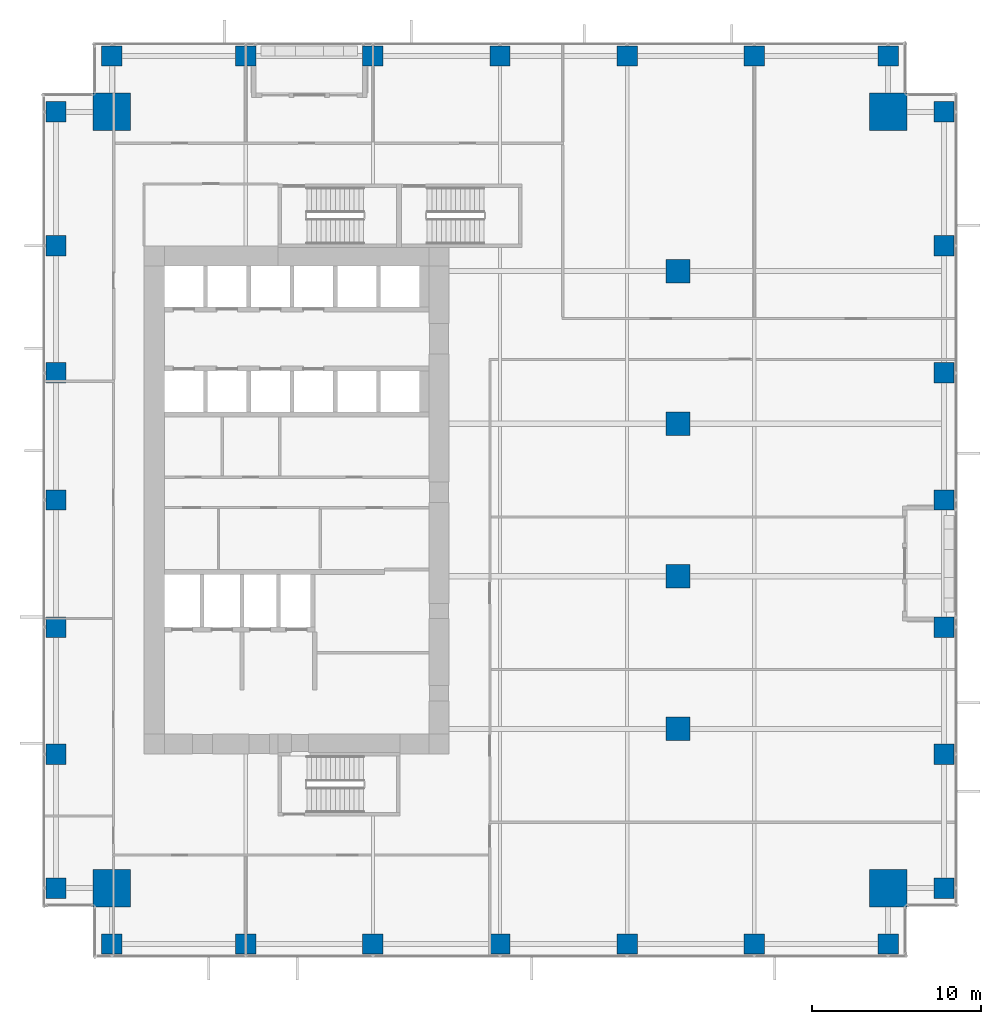
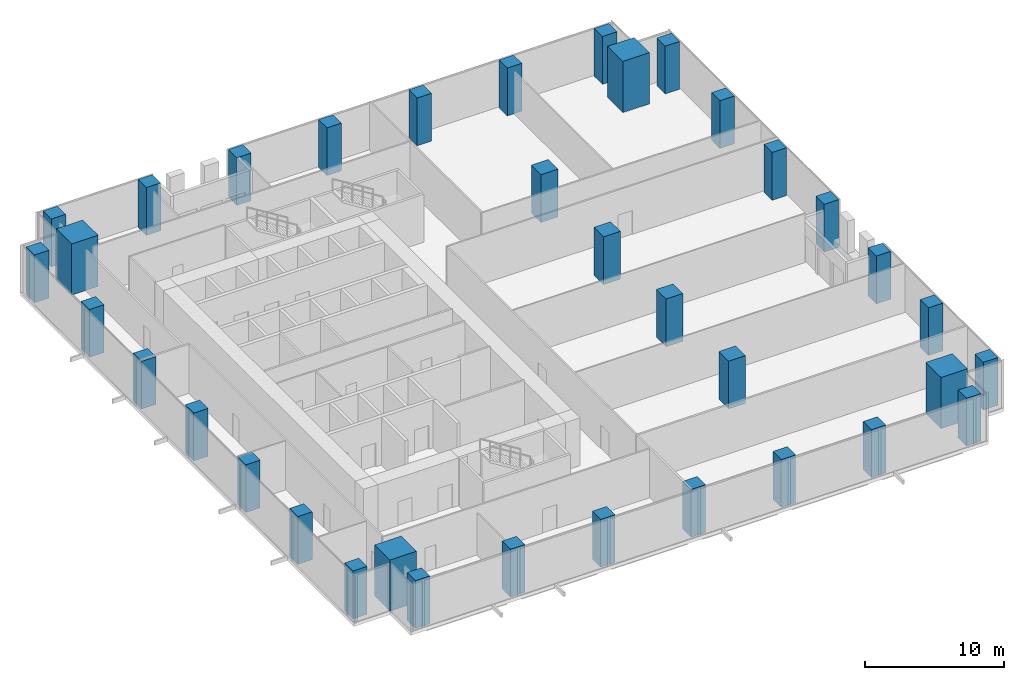
# One storey, part 1 of 32: 36 columns.
"""IFC4 building model written with IfcOpenShell, lengths in metres."""

from ifc_helpers import new_model, si_unit, direction, frame, origin, origin_2d, place, context, subcontext, project, spatial, rectangle, extrude, source, transform, mapped, material, material_profile, profile_set, type_object, element, save


model = new_model("IFC4")

# Units and contexts
model_context = context("Model", 3, precision=1e-05, world=origin(), true_north=direction((0.0, 1.0)))
body_context = subcontext(model_context, "Body", "Model", "MODEL_VIEW")
ifc_project = project(units=[si_unit("LENGTHUNIT", "METRE"), si_unit("AREAUNIT", "SQUARE_METRE"), si_unit("VOLUMEUNIT", "CUBIC_METRE"), si_unit("PLANEANGLEUNIT", "RADIAN"), si_unit("MASSUNIT", "GRAM", prefix="KILO")], contexts=[model_context])

# Site, building, storey
site_placement = place(None, origin())
site = spatial("IfcSite", under=ifc_project, at=site_placement, CompositionType="ELEMENT")
building_placement = place(site_placement, origin())
building = spatial("IfcBuilding", under=site, at=building_placement, Name="Khomas Fold Tower", CompositionType="ELEMENT")
storey_placement = place(building_placement, frame((0.0, 0.0, 42.0)))
storey = spatial("IfcBuildingStorey", under=building, at=storey_placement, Name="L08", CompositionType="ELEMENT", Elevation=42.0)

# Columns
ifc_material_1 = material(Name="Concrete C70/85", Category="concrete")
ifc_material_profile_1 = material_profile(ifc_material_1, rectangle(XDim=2.199951171875, YDim=2.199951171875, at=origin_2d()), Name="RC 2200x2200")
ifc_profile_set_1 = profile_set([ifc_material_profile_1], Name="Concrete C70/85")
column_type_1 = type_object("IfcColumnType", Name="RC 2200x2200 column", PredefinedType="COLUMN", material=ifc_profile_set_1)
shared_shape_1 = source(origin(), body_context, "Body", "SweptSolid", [
    extrude(rectangle(XDim=2.199951171875, YDim=2.199951171875, at=origin_2d()), origin(), (0.0, 0.0, 1.0), 4.5),
])
for number, where, z_axis, x_axis, name in (
    (1, (49.89990234375, 49.89990234375, 0.0), (0.0, 0.0, 1.0), (1.0, 0.0, 0.0), "CM-NE"),
    (2, (4.10009765625, 49.89990234375, 0.0), (0.0, 0.0, 1.0), (1.0, 0.0, 0.0), "CM-NW"),
    (3, (49.89990234375, 4.10009765625, 0.0), (0.0, 0.0, 1.0), (1.0, 0.0, 0.0), "CM-SE"),
    (4, (4.10009765625, 4.10009765625, 0.0), (0.0, 0.0, 1.0), (1.0, 0.0, 0.0), "CM-SW"),
):
    element("IfcColumn", number, at=place(storey_placement, frame(where, z_axis=z_axis, x_axis=x_axis)), inside=storey, type_object=column_type_1, Name=name, PredefinedType="COLUMN", context=body_context, shape_type="MappedRepresentation", body=[
        mapped(shared_shape_1, transform((0.0, 0.0, 0.0))),
    ])
ifc_material_2 = material(Name="Concrete C60/75", Category="concrete")
ifc_material_profile_2 = material_profile(ifc_material_2, rectangle(XDim=1.199951171875, YDim=1.199951171875, at=origin_2d()), Name="RC 1200x1200")
ifc_profile_set_2 = profile_set([ifc_material_profile_2], Name="Concrete C60/75")
column_type_2 = type_object("IfcColumnType", Name="RC 1200x1200 column", PredefinedType="COLUMN", material=ifc_profile_set_2)
shared_shape_2 = source(origin(), body_context, "Body", "SweptSolid", [
    extrude(rectangle(XDim=1.199951171875, YDim=1.199951171875, at=origin_2d()), origin(), (0.0, 0.0, 1.0), 4.199951171875),
])
for number, where, z_axis, x_axis, name in (
    (5, (4.10009765625, 0.800048828125, 0.0), (0.0, 0.0, 1.0), (1.0, 0.0, 0.0), "C-2-SF1"),
    (6, (12.0, 0.800048828125, 0.0), (0.0, 0.0, 1.0), (1.0, 0.0, 0.0), "C-6-SF1"),
    (7, (19.5, 0.800048828125, 0.0), (0.0, 0.0, 1.0), (1.0, 0.0, 0.0), "C-8-SF1"),
    (8, (27.0, 0.800048828125, 0.0), (0.0, 0.0, 1.0), (1.0, 0.0, 0.0), "C-9-SF1"),
    (9, (34.5, 0.800048828125, 0.0), (0.0, 0.0, 1.0), (1.0, 0.0, 0.0), "C-10-SF1"),
    (10, (42.0, 0.800048828125, 0.0), (0.0, 0.0, 1.0), (1.0, 0.0, 0.0), "C-13-SF1"),
    (11, (49.89990234375, 0.800048828125, 0.0), (0.0, 0.0, 1.0), (1.0, 0.0, 0.0), "C-17-SF1"),
    (12, (53.199951171875, 4.10009765625, 0.0), (0.0, 0.0, 1.0), (1.0, 0.0, 0.0), "C-E1-A"),
    (13, (53.199951171875, 12.0, 0.0), (0.0, 0.0, 1.0), (1.0, 0.0, 0.0), "C-E1-F"),
    (14, (53.199951171875, 19.5, 0.0), (0.0, 0.0, 1.0), (1.0, 0.0, 0.0), "C-E1-J"),
    (15, (53.199951171875, 27.0, 0.0), (0.0, 0.0, 1.0), (1.0, 0.0, 0.0), "C-E1-L"),
    (16, (53.199951171875, 34.5, 0.0), (0.0, 0.0, 1.0), (1.0, 0.0, 0.0), "C-E1-N"),
    (17, (53.199951171875, 42.0, 0.0), (0.0, 0.0, 1.0), (1.0, 0.0, 0.0), "C-E1-R"),
    (18, (53.199951171875, 49.89990234375, 0.0), (0.0, 0.0, 1.0), (1.0, 0.0, 0.0), "C-E1-W"),
    (19, (4.10009765625, 53.199951171875, 0.0), (0.0, 0.0, 1.0), (1.0, 0.0, 0.0), "C-2-NF1"),
    (20, (12.0, 53.199951171875, 0.0), (0.0, 0.0, 1.0), (1.0, 0.0, 0.0), "C-6-NF1"),
    (21, (19.5, 53.199951171875, 0.0), (0.0, 0.0, 1.0), (1.0, 0.0, 0.0), "C-8-NF1"),
    (22, (27.0, 53.199951171875, 0.0), (0.0, 0.0, 1.0), (1.0, 0.0, 0.0), "C-9-NF1"),
    (23, (34.5, 53.199951171875, 0.0), (0.0, 0.0, 1.0), (1.0, 0.0, 0.0), "C-10-NF1"),
    (24, (42.0, 53.199951171875, 0.0), (0.0, 0.0, 1.0), (1.0, 0.0, 0.0), "C-13-NF1"),
    (25, (49.89990234375, 53.199951171875, 0.0), (0.0, 0.0, 1.0), (1.0, 0.0, 0.0), "C-17-NF1"),
    (26, (0.800048828125, 4.10009765625, 0.0), (0.0, 0.0, 1.0), (1.0, 0.0, 0.0), "C-W1-A"),
    (27, (0.800048828125, 12.0, 0.0), (0.0, 0.0, 1.0), (1.0, 0.0, 0.0), "C-W1-F"),
    (28, (0.800048828125, 19.5, 0.0), (0.0, 0.0, 1.0), (1.0, 0.0, 0.0), "C-W1-J"),
    (29, (0.800048828125, 27.0, 0.0), (0.0, 0.0, 1.0), (1.0, 0.0, 0.0), "C-W1-L"),
    (30, (0.800048828125, 34.5, 0.0), (0.0, 0.0, 1.0), (1.0, 0.0, 0.0), "C-W1-N"),
    (31, (0.800048828125, 42.0, 0.0), (0.0, 0.0, 1.0), (1.0, 0.0, 0.0), "C-W1-R"),
    (32, (0.800048828125, 49.89990234375, 0.0), (0.0, 0.0, 1.0), (1.0, 0.0, 0.0), "C-W1-W"),
):
    element("IfcColumn", number, at=place(storey_placement, frame(where, z_axis=z_axis, x_axis=x_axis)), inside=storey, type_object=column_type_2, Name=name, PredefinedType="COLUMN", context=body_context, shape_type="MappedRepresentation", body=[
        mapped(shared_shape_2, transform((0.0, 0.0, 0.0))),
    ])
ifc_material_3 = material(Name="Concrete C60/75", Category="concrete")
ifc_material_profile_3 = material_profile(ifc_material_3, rectangle(XDim=1.39990234375, YDim=1.39990234375, at=origin_2d()), Name="RC 1400x1400")
ifc_profile_set_3 = profile_set([ifc_material_profile_3], Name="Concrete C60/75")
column_type_3 = type_object("IfcColumnType", Name="RC 1400x1400 column", PredefinedType="COLUMN", material=ifc_profile_set_3)
shared_shape_3 = source(origin(), body_context, "Body", "SweptSolid", [
    extrude(rectangle(XDim=1.39990234375, YDim=1.39990234375, at=origin_2d()), origin(), (0.0, 0.0, 1.0), 4.199951171875),
])
for number, where, z_axis, x_axis, name in (
    (33, (37.5, 13.5, 0.0), (0.0, 0.0, 1.0), (1.0, 0.0, 0.0), "C-11-H"),
    (34, (37.5, 22.5, 0.0), (0.0, 0.0, 1.0), (1.0, 0.0, 0.0), "C-11-K"),
    (35, (37.5, 31.5, 0.0), (0.0, 0.0, 1.0), (1.0, 0.0, 0.0), "C-11-M"),
    (36, (37.5, 40.5, 0.0), (0.0, 0.0, 1.0), (1.0, 0.0, 0.0), "C-11-P"),
):
    element("IfcColumn", number, at=place(storey_placement, frame(where, z_axis=z_axis, x_axis=x_axis)), inside=storey, type_object=column_type_3, Name=name, PredefinedType="COLUMN", context=body_context, shape_type="MappedRepresentation", body=[
        mapped(shared_shape_3, transform((0.0, 0.0, 0.0))),
    ])

save(model, "model.ifc")
